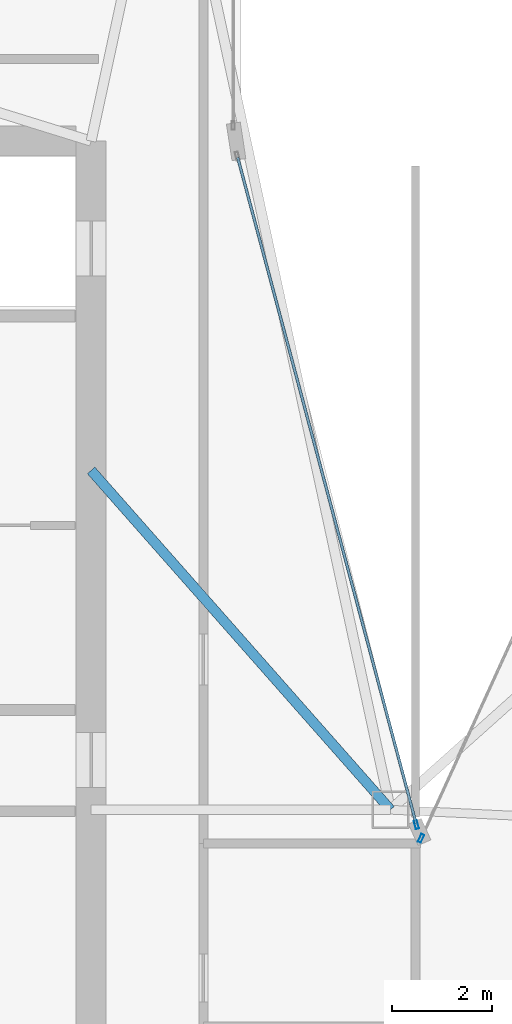
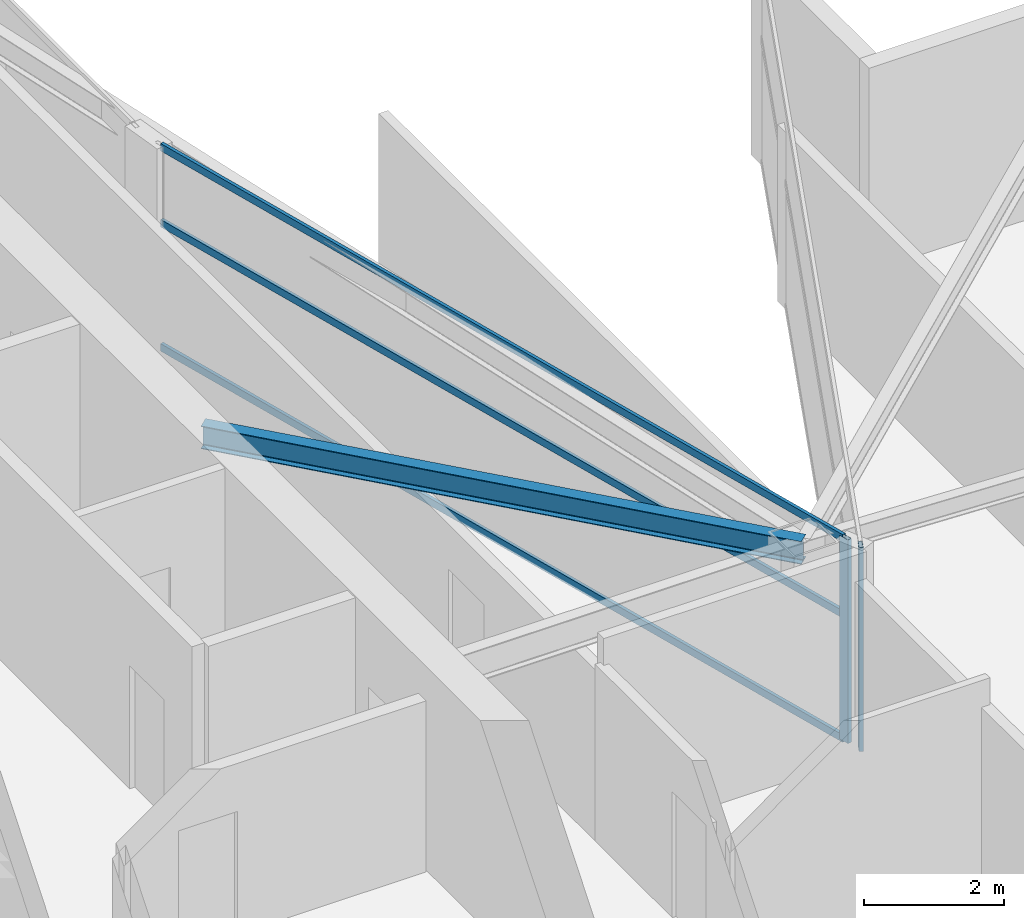
# One storey, part 12 of 27: 5 members, 1 beam, 2 elements without a shape of their own.
"""IFC4 building model written with IfcOpenShell, lengths in metres."""

from ifc_helpers import new_model, si_unit, direction, frame, origin, origin_2d, place, context, subcontext, project, spatial, hollow_rectangle, i_section, extrude, material, layer, layer_set, material_profile, profile_set, type_object, element, aggregate, save


model = new_model("IFC4")

# Units and contexts
model_context = context("Model", 3, precision=1e-05, world=origin(), true_north=direction((0.0, 1.0)))
body_context = subcontext(model_context, "Body", "Model", "MODEL_VIEW")
ifc_project = project(units=[si_unit("LENGTHUNIT", "METRE"), si_unit("AREAUNIT", "SQUARE_METRE"), si_unit("VOLUMEUNIT", "CUBIC_METRE"), si_unit("PLANEANGLEUNIT", "RADIAN"), si_unit("MASSUNIT", "GRAM", prefix="KILO")], contexts=[model_context])

# Site, building, storey
site_placement = place(None, origin())
site = spatial("IfcSite", under=ifc_project, at=site_placement, CompositionType="ELEMENT")
building_placement = place(site_placement, origin())
building = spatial("IfcBuilding", under=site, at=building_placement, Name="Calvorn Quay Hotel", CompositionType="ELEMENT")
storey_placement = place(building_placement, frame((0.0, 0.0, 294.89990234375)))
storey = spatial("IfcBuildingStorey", under=building, at=storey_placement, Name="L73", CompositionType="ELEMENT", Elevation=294.89990234375)

# Beam
ifc_material_1 = material(Name="Steel Q355B", Category="steel")
ifc_material_profile_1 = material_profile(ifc_material_1, i_section(OverallWidth=0.199951171875, OverallDepth=0.39990234375, WebThickness=0.008056640625, FlangeThickness=0.012939453125, FilletRadius=0.01611328125, at=origin_2d()), Name="HN400x200x8x13")
ifc_profile_set_1 = profile_set([ifc_material_profile_1], Name="Steel Q355B")
beam_type = type_object("IfcBeamType", Name="BM-JOIST-TYP", PredefinedType="JOIST", material=ifc_profile_set_1)
beam_placement = place(storey_placement, frame((15.0, 31.800048828125, 3.340087890625), z_axis=(0.661618965899, -0.749840212287, 0.0), x_axis=(0.749840212287, 0.661618965899, 0.0)))
element("IfcBeam", 1, at=beam_placement, inside=storey, type_object=beam_type, Name="Beam BJ-L73-C1", PredefinedType="JOIST", context=body_context, shape_type="SweptSolid", body=[
    extrude(i_section(OverallWidth=0.199951171875, OverallDepth=0.39990234375, WebThickness=0.008056640625, FlangeThickness=0.012939453125, FilletRadius=0.01611328125, at=origin_2d()), origin(), (0.0, 0.0, 1.0), 9.068603515625),
])

# Curtain wall, member
ifc_material_2 = material(Name="Champagne Bronze Anodised Aluminium and Low-E Glass", Category="aluminium")
ifc_layer = layer(ifc_material_2, 0.219970703125)
ifc_layer_set = layer_set([ifc_layer], Name="CW-SYS-Z4")
curtain_wall_type = type_object("IfcCurtainWallType", Name="CW-SYS-Z4", PredefinedType="NOTDEFINED", material=ifc_layer_set)
curtain_wall_1_placement = place(storey_placement, origin())
curtain_wall_1 = element("IfcCurtainWall", 2, at=curtain_wall_1_placement, inside=storey, type_object=curtain_wall_type, Name="Inner Court Curtain Wall L73-NE1", PredefinedType="NOTDEFINED")
ifc_material_3 = material(Name="Champagne Bronze Anodised Aluminium 6063-T6", Category="aluminium")
ifc_material_profile_2 = material_profile(ifc_material_3, hollow_rectangle(XDim=0.06494140625, YDim=0.169921875, WallThickness=0.00341796875, at=origin_2d()), Name="ALU-M170x65x3.5")
ifc_profile_set_2 = profile_set([ifc_material_profile_2], Name="Champagne Bronze Anodised Aluminium 6063-T6")
member_type_1 = type_object("IfcMemberType", Name="CW-SYS-Z4-MUL", PredefinedType="MULLION", material=ifc_profile_set_2)
member_1_placement = place(storey_placement, frame((21.612548828125, 24.42724609375, 0.0), z_axis=(0.0, 0.0, 1.0), x_axis=(0.909907665981, -0.414810847724, 0.0)))
member_1 = element("IfcMember", 3, at=member_1_placement, type_object=member_type_1, Name="CW-L73-NE1 mullion 2", PredefinedType="MULLION", context=body_context, shape_type="SweptSolid", body=[
    extrude(hollow_rectangle(XDim=0.06494140625, YDim=0.169921875, WallThickness=0.00341796875, at=origin_2d()), origin(), (0.0, 0.0, 1.0), 3.56005859375),
])
aggregate(curtain_wall_1, [member_1])

# Curtain wall, members
curtain_wall_2_placement = place(storey_placement, origin())
curtain_wall_2 = element("IfcCurtainWall", 4, at=curtain_wall_2_placement, inside=storey, type_object=curtain_wall_type, Name="Inner Court Curtain Wall L73-IC1", PredefinedType="NOTDEFINED")
member_2_placement = place(storey_placement, frame((21.520263671875, 24.698974609375, 0.0), z_axis=(0.0, 0.0, 1.0), x_axis=(-0.96593652056, -0.25877913024, 0.0)))
member_2 = element("IfcMember", 5, at=member_2_placement, type_object=member_type_1, Name="CW-L73-IC1 mullion 1", PredefinedType="MULLION", context=body_context, shape_type="SweptSolid", body=[
    extrude(hollow_rectangle(XDim=0.06494140625, YDim=0.169921875, WallThickness=0.00341796875, at=origin_2d()), origin(), (0.0, 0.0, 1.0), 3.56005859375),
])
ifc_material_4 = material(Name="Champagne Bronze Anodised Aluminium 6063-T6", Category="aluminium")
ifc_material_profile_3 = material_profile(ifc_material_4, hollow_rectangle(XDim=0.054931640625, YDim=0.1298828125, WallThickness=0.003173828125, at=origin_2d()), Name="ALU-T130x55x3.2")
ifc_profile_set_3 = profile_set([ifc_material_profile_3], Name="Champagne Bronze Anodised Aluminium 6063-T6")
member_type_2 = type_object("IfcMemberType", Name="CW-SYS-Z4-TRN", PredefinedType="USERDEFINED", material=ifc_profile_set_3)
member_3_placement = place(storey_placement, frame((21.512451171875, 24.72802734375, 0.030029296875), z_axis=(-0.258781136883, 0.965935982969, 0.0), x_axis=(-0.965935982969, -0.258781136883, 0.0)))
member_3 = element("IfcMember", 6, at=member_3_placement, type_object=member_type_2, Name="CW-L73-IC1 transom 1.1", ObjectType="TRANSOM", PredefinedType="USERDEFINED", context=body_context, shape_type="SweptSolid", body=[
    extrude(hollow_rectangle(XDim=0.054931640625, YDim=0.1298828125, WallThickness=0.003173828125, at=origin_2d()), origin(), (0.0, 0.0, 1.0), 13.814453125),
])
member_4_placement = place(storey_placement, frame((21.512451171875, 24.72802734375, 2.2001953125), z_axis=(-0.258781136883, 0.965935982969, 0.0), x_axis=(-0.965935982969, -0.258781136883, 0.0)))
member_4 = element("IfcMember", 7, at=member_4_placement, type_object=member_type_2, Name="CW-L73-IC1 transom 1.2", ObjectType="TRANSOM", PredefinedType="USERDEFINED", context=body_context, shape_type="SweptSolid", body=[
    extrude(hollow_rectangle(XDim=0.054931640625, YDim=0.1298828125, WallThickness=0.003173828125, at=origin_2d()), origin(), (0.0, 0.0, 1.0), 13.814453125),
])
member_5_placement = place(storey_placement, frame((21.512451171875, 24.72802734375, 3.530029296875), z_axis=(-0.258781136883, 0.965935982969, 0.0), x_axis=(-0.965935982969, -0.258781136883, 0.0)))
member_5 = element("IfcMember", 8, at=member_5_placement, type_object=member_type_2, Name="CW-L73-IC1 transom 1.3", ObjectType="TRANSOM", PredefinedType="USERDEFINED", context=body_context, shape_type="SweptSolid", body=[
    extrude(hollow_rectangle(XDim=0.054931640625, YDim=0.1298828125, WallThickness=0.003173828125, at=origin_2d()), origin(), (0.0, 0.0, 1.0), 13.814453125),
])
aggregate(curtain_wall_2, [member_2, member_3, member_4, member_5])

save(model, "model.ifc")
